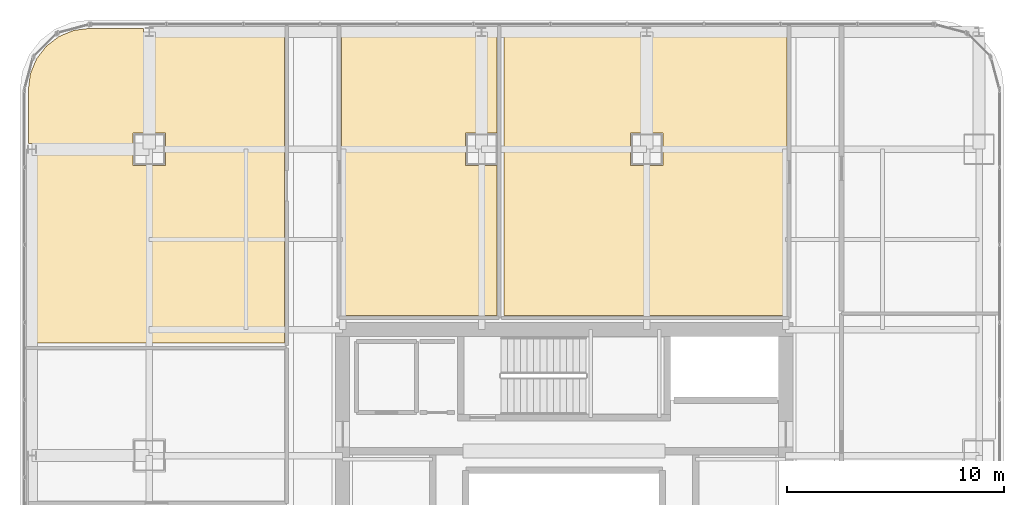
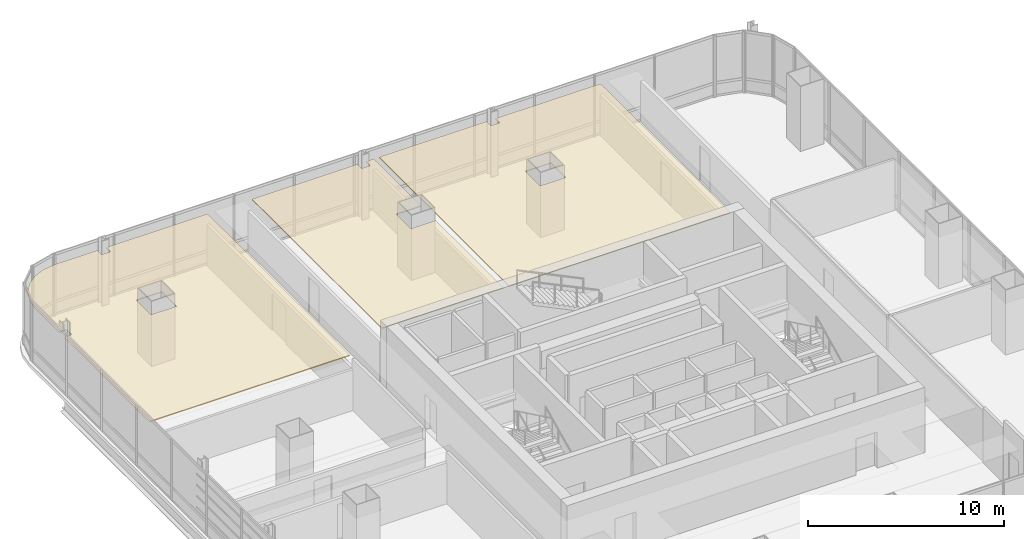
# One storey, part 38 of 38: 3 coverings.
"""IFC4 building model written with IfcOpenShell, lengths in metres."""

from ifc_helpers import new_model, si_unit, direction, frame, origin, place, context, subcontext, project, spatial, polyline, outline, extrude, material, layer, layer_set, type_object, element, save


model = new_model("IFC4")

# Units and contexts
model_context = context("Model", 3, precision=1e-05, world=origin(), true_north=direction((0.0, 1.0)))
body_context = subcontext(model_context, "Body", "Model", "MODEL_VIEW")
ifc_project = project(units=[si_unit("LENGTHUNIT", "METRE"), si_unit("AREAUNIT", "SQUARE_METRE"), si_unit("VOLUMEUNIT", "CUBIC_METRE"), si_unit("PLANEANGLEUNIT", "RADIAN"), si_unit("MASSUNIT", "GRAM", prefix="KILO")], contexts=[model_context])

# Site, building, storey
site_placement = place(None, origin())
site = spatial("IfcSite", under=ifc_project, at=site_placement, CompositionType="ELEMENT")
building_placement = place(site_placement, origin())
building = spatial("IfcBuilding", under=site, at=building_placement, Name="Punatoya Terracotta Tower", CompositionType="ELEMENT")
storey_placement = place(building_placement, frame((0.0, 0.0, 151.949951171875)))
storey = spatial("IfcBuildingStorey", under=building, at=storey_placement, Name="L35", CompositionType="ELEMENT", Elevation=151.949951171875)

# Coverings
ifc_material = material(Name="Acoustic Mineral Fibre Ceiling")
ifc_layer = layer(ifc_material, 0.06005859375)
ifc_layer_set = layer_set([ifc_layer], Name="Acoustic Mineral Fibre Ceiling")
covering_type = type_object("IfcCoveringType", Name="COV-CEIL-60", PredefinedType="CEILING", material=ifc_layer_set)
covering_1_placement = place(storey_placement, frame((0.0, 0.0, 3.219970703125)))
element("IfcCovering", 1, at=covering_1_placement, inside=storey, type_object=covering_type, Name="L35 Technical Seminar Room Acoustic Ceiling", PredefinedType="CEILING", context=body_context, shape_type="SweptSolid", body=[
    extrude(outline(polyline([(-12.8701171875, 23.070068359375), (-18.845458984375, 23.070068359375), (-18.845458984375, 22.637451171875), (-19.3544921875, 22.637451171875), (-19.3544921875, 23.070068359375), (-21.8251953125, 23.070068359375), (-22.5791015625, 22.970703125), (-23.25830078125, 22.689453125), (-23.841796875, 22.24169921875), (-24.289306640625, 21.658203125), (-24.57080078125, 20.97900390625), (-24.669921875, 20.22509765625), (-24.669921875, 17.762451171875), (-24.24560546875, 17.762451171875), (-24.24560546875, 17.237548828125), (-24.669921875, 17.237548828125), (-24.669921875, 8.569091796875), (-12.8701171875, 8.569091796875), (-12.8701171875, 23.070068359375)]), holes=[polyline([(-19.85009765625, 18.25), (-18.35009765625, 18.25), (-18.35009765625, 16.75), (-19.85009765625, 16.75), (-19.85009765625, 18.25)])]), origin(), (0.0, 0.0, 1.0), 0.06005859375),
])
covering_2_placement = place(storey_placement, frame((0.0, 0.0, 3.219970703125)))
element("IfcCovering", 2, at=covering_2_placement, inside=storey, type_object=covering_type, Name="L35 Open-Plan Laboratory Staff Pantry Acoustic Ceiling", PredefinedType="CEILING", context=body_context, shape_type="SweptSolid", body=[
    extrude(outline(polyline([(-3.54541015625, 23.070068359375), (-3.54541015625, 22.637451171875), (-4.054443359375, 22.637451171875), (-4.054443359375, 23.070068359375), (-10.260009765625, 23.070068359375), (-10.260009765625, 9.840087890625), (-3.093994140625, 9.840087890625), (-3.093994140625, 16.75), (-4.550048828125, 16.75), (-4.550048828125, 18.25), (-3.093994140625, 18.25), (-3.093994140625, 23.070068359375), (-3.54541015625, 23.070068359375)])), origin(), (0.0, 0.0, 1.0), 0.06005859375),
])
covering_3_placement = place(storey_placement, frame((0.0, 0.0, 3.219970703125)))
element("IfcCovering", 3, at=covering_3_placement, inside=storey, type_object=covering_type, Name="L35 Wellness Rest Room Acoustic Ceiling", PredefinedType="CEILING", context=body_context, shape_type="SweptSolid", body=[
    extrude(outline(polyline([(10.260009765625, 9.840087890625), (10.260009765625, 23.070068359375), (4.054443359375, 23.070068359375), (4.054443359375, 22.637451171875), (3.54541015625, 22.637451171875), (3.54541015625, 23.070068359375), (-2.77392578125, 23.070068359375), (-2.77392578125, 9.840087890625), (10.260009765625, 9.840087890625)]), holes=[polyline([(4.550048828125, 16.75), (3.050048828125, 16.75), (3.050048828125, 18.25), (4.550048828125, 18.25), (4.550048828125, 16.75)])]), origin(), (0.0, 0.0, 1.0), 0.06005859375),
])

save(model, "model.ifc")
